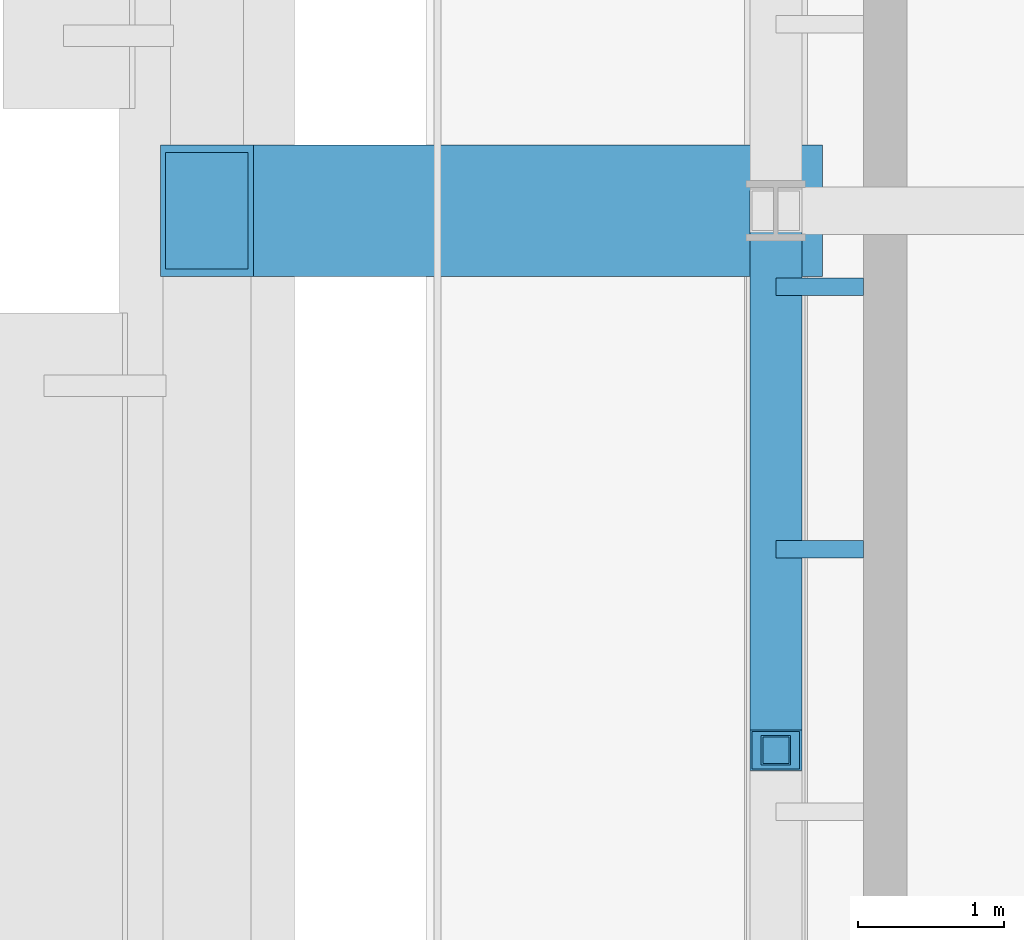
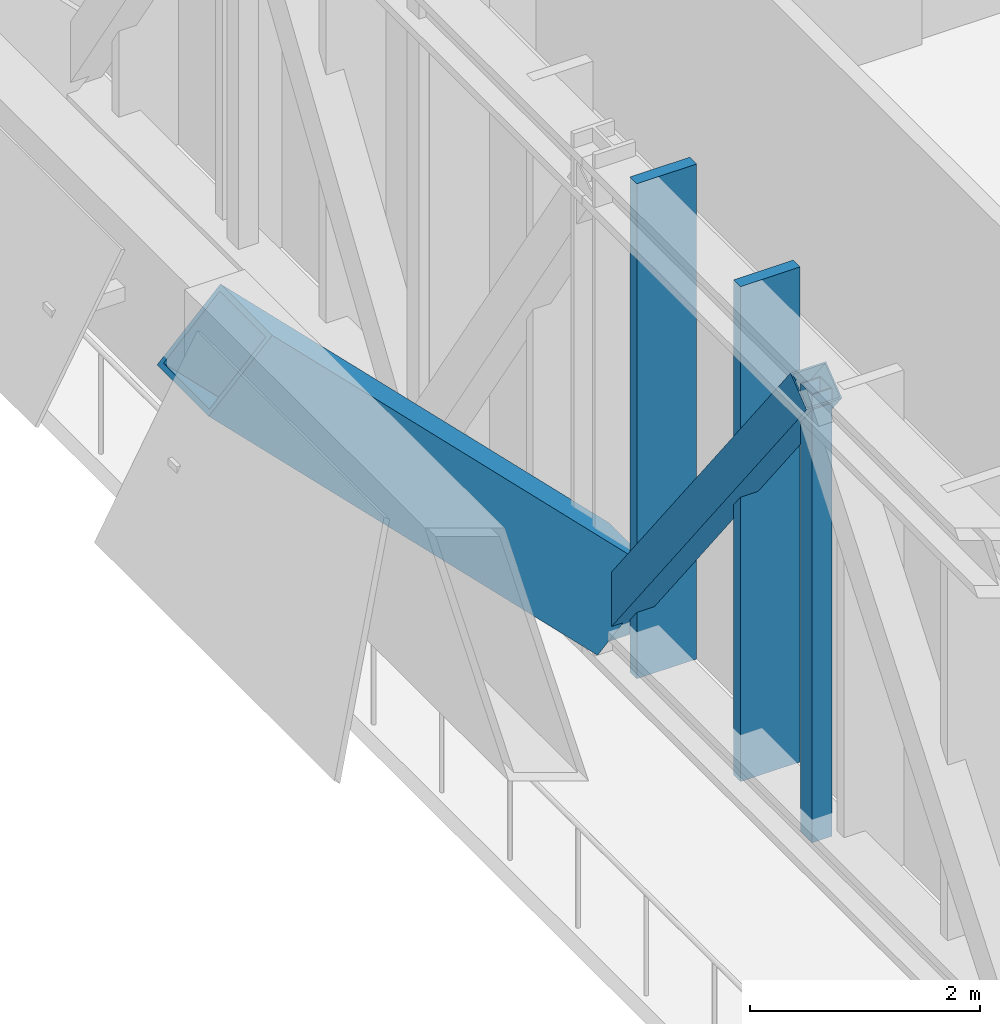
# One storey, part 6 of 32: 5 members, 1 element without a shape of its own.
"""IFC4 building model written with IfcOpenShell, lengths in metres."""

from ifc_helpers import new_model, si_unit, direction, frame, origin, origin_2d, place, context, subcontext, project, spatial, rectangle, hollow_rectangle, extrude, material, material_profile, profile_set, type_object, element, aggregate, save


model = new_model("IFC4")

# Units and contexts
model_context = context("Model", 3, precision=1e-05, world=origin(), true_north=direction((0.0, 1.0)))
body_context = subcontext(model_context, "Body", "Model", "MODEL_VIEW")
ifc_project = project(units=[si_unit("LENGTHUNIT", "METRE"), si_unit("AREAUNIT", "SQUARE_METRE"), si_unit("VOLUMEUNIT", "CUBIC_METRE"), si_unit("PLANEANGLEUNIT", "RADIAN"), si_unit("MASSUNIT", "GRAM", prefix="KILO")], contexts=[model_context])

# Site, building, storey
site_placement = place(None, origin())
site = spatial("IfcSite", under=ifc_project, at=site_placement, CompositionType="ELEMENT")
building_placement = place(site_placement, origin())
building = spatial("IfcBuilding", under=site, at=building_placement, Name="Bicima Exchange Tower", CompositionType="ELEMENT")
storey_placement = place(building_placement, frame((0.0, 0.0, 84.5)))
storey = spatial("IfcBuildingStorey", under=building, at=storey_placement, Name="L17", CompositionType="ELEMENT", Elevation=84.5)

# Curtain wall, members
ifc_material_1 = material(Name="Anodised bronze aluminium", Category="aluminium")
curtain_wall_type = type_object("IfcCurtainWallType", Name="Band blade screen", PredefinedType="NOTDEFINED", material=ifc_material_1)
curtain_wall_placement = place(storey_placement, origin())
curtain_wall = element("IfcCurtainWall", 1, at=curtain_wall_placement, inside=storey, type_object=curtain_wall_type, Name="Band blade screen L17", PredefinedType="NOTDEFINED")
ifc_material_profile_1 = material_profile(ifc_material_1, rectangle(XDim=0.60009765625, YDim=0.1201171875, at=origin_2d()))
ifc_profile_set_1 = profile_set([ifc_material_profile_1], Name="Anodised bronze aluminium")
member_type_1 = type_object("IfcMemberType", Name="Band blade fin 600 x 120", PredefinedType="USERDEFINED", material=ifc_profile_set_1)
member_1_placement = place(storey_placement, frame((-33.300048828125, -22.52001953125, 0.0), z_axis=(0.0, 0.0, 1.0), x_axis=(1.0, 0.0, 0.0)))
member_1 = element("IfcMember", 2, at=member_1_placement, type_object=member_type_1, Name="Band blade fin 21", ObjectType="FIN", PredefinedType="USERDEFINED", context=body_context, shape_type="SweptSolid", body=[
    extrude(rectangle(XDim=0.60009765625, YDim=0.1201171875, at=origin_2d()), origin(), (0.0, 0.0, 1.0), 5.25),
])
member_2_placement = place(storey_placement, frame((-33.300048828125, -24.320068359375, 0.0), z_axis=(0.0, 0.0, 1.0), x_axis=(1.0, 0.0, 0.0)))
member_2 = element("IfcMember", 3, at=member_2_placement, type_object=member_type_1, Name="Band blade fin 22", ObjectType="FIN", PredefinedType="USERDEFINED", context=body_context, shape_type="SweptSolid", body=[
    extrude(rectangle(XDim=0.60009765625, YDim=0.1201171875, at=origin_2d()), origin(), (0.0, 0.0, 1.0), 5.25),
])
aggregate(curtain_wall, [member_1, member_2])

# Members
ifc_material_2 = material(Name="Steel ASTM A572 Gr 50", Category="steel")
ifc_material_profile_2 = material_profile(ifc_material_2, hollow_rectangle(XDim=0.355712890625, YDim=0.355712890625, WallThickness=0.0146484375, at=origin_2d()))
ifc_profile_set_2 = profile_set([ifc_material_profile_2], Name="Steel ASTM A572 Gr 50")
member_type_2 = type_object("IfcMemberType", Name="Belt truss diagonal HSS14x14x5/8", PredefinedType="STRUT", material=ifc_profile_set_2)
member_3_placement = place(storey_placement, frame((-33.60009765625, -22.0, 0.248779296875), z_axis=(0.0, -0.614162319801, 0.789179729173), x_axis=(1.0, 0.0, 0.0)))
element("IfcMember", 4, at=member_3_placement, inside=storey, type_object=member_type_2, Name="Truss diagonal", PredefinedType="STRUT", context=body_context, shape_type="SweptSolid", body=[
    extrude(hollow_rectangle(XDim=0.355712890625, YDim=0.355712890625, WallThickness=0.0146484375, at=origin_2d()), origin(), (0.0, 0.0, 1.0), 6.02197265625),
])
ifc_material_profile_3 = material_profile(ifc_material_2, hollow_rectangle(XDim=0.203125, YDim=0.203125, WallThickness=0.01171875, at=origin_2d()))
ifc_profile_set_3 = profile_set([ifc_material_profile_3], Name="Steel ASTM A572 Gr 50")
member_type_3 = type_object("IfcMemberType", Name="Belt truss post HSS8x8x1/2", PredefinedType="POST", material=ifc_profile_set_3)
member_4_placement = place(storey_placement, frame((-33.60009765625, -25.698486328125, 0.248779296875), z_axis=(0.0, 0.0, 1.0), x_axis=(1.0, 0.0, 0.0)))
element("IfcMember", 5, at=member_4_placement, inside=storey, type_object=member_type_3, Name="Truss post", PredefinedType="POST", context=body_context, shape_type="SweptSolid", body=[
    extrude(hollow_rectangle(XDim=0.203125, YDim=0.203125, WallThickness=0.01171875, at=origin_2d()), origin(), (0.0, 0.0, 1.0), 4.75244140625),
])
ifc_material_profile_4 = material_profile(ifc_material_2, hollow_rectangle(XDim=0.89990234375, YDim=0.89990234375, WallThickness=0.050048828125, at=origin_2d()))
ifc_profile_set_4 = profile_set([ifc_material_profile_4], Name="Steel ASTM A572 Gr 50")
member_type_4 = type_object("IfcMemberType", Name="Exo outrigger stub BOX 900x900x50", PredefinedType="STRUT", material=ifc_profile_set_4)
member_5_placement = place(storey_placement, frame((-33.60009765625, -22.0, 0.60009765625), z_axis=(-0.707106781187, 0.0, 0.707106781187), x_axis=(0.0, -1.0, 0.0)))
element("IfcMember", 6, at=member_5_placement, inside=storey, type_object=member_type_4, Name="Exo outrigger stub", PredefinedType="STRUT", context=body_context, shape_type="SweptSolid", body=[
    extrude(hollow_rectangle(XDim=0.89990234375, YDim=0.89990234375, WallThickness=0.050048828125, at=origin_2d()), origin(), (0.0, 0.0, 1.0), 5.515380859375),
])

save(model, "model.ifc")
